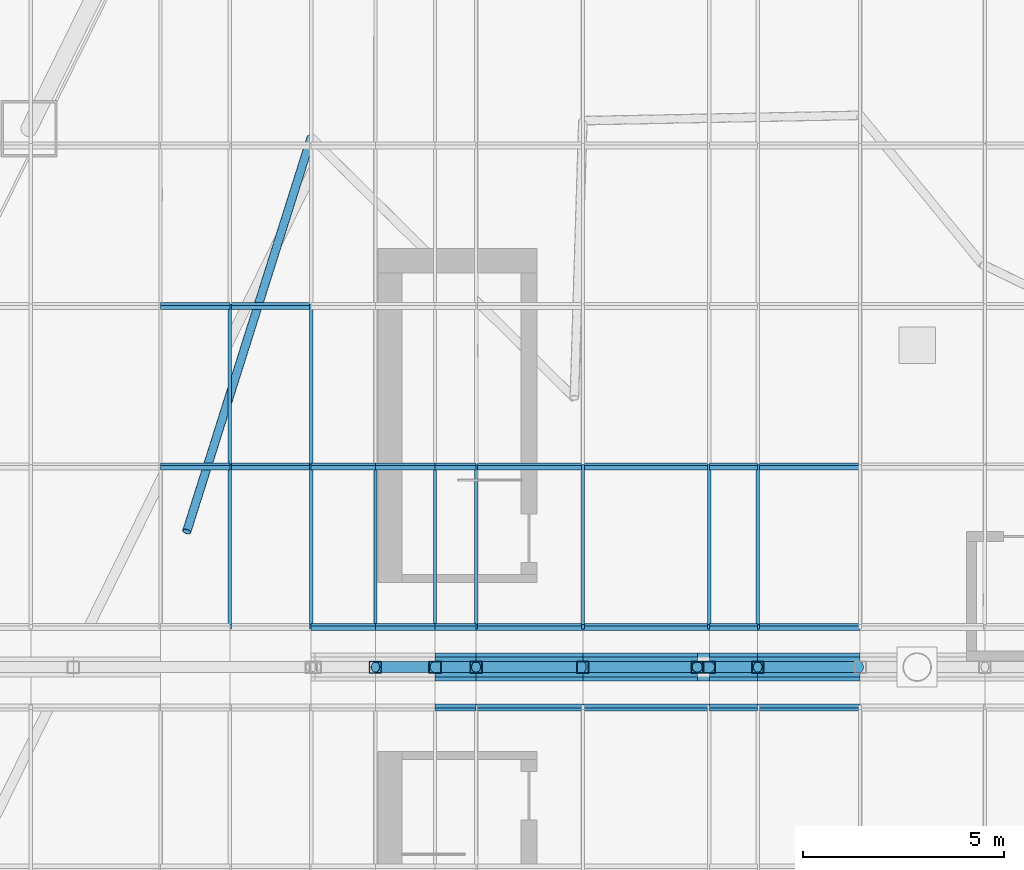
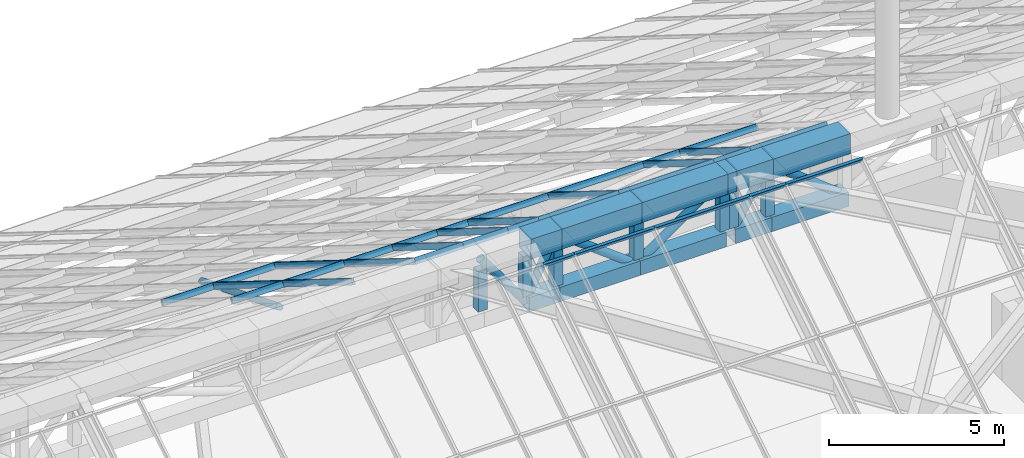
# One storey, part 13 of 38: 59 members, 16 elements without a shape of their own.
"""IFC4 building model written with IfcOpenShell, lengths in metres."""

from ifc_helpers import new_model, si_unit, direction, frame, origin, origin_2d, place, context, subcontext, project, spatial, rectangle, hollow_rectangle, hollow_circle, extrude, material, layer, layer_set, material_profile, profile_set, type_object, element, aggregate, save


model = new_model("IFC4")

# Units and contexts
model_context = context("Model", 3, precision=1e-05, world=origin(), true_north=direction((0.0, 1.0)))
body_context = subcontext(model_context, "Body", "Model", "MODEL_VIEW")
ifc_project = project(units=[si_unit("LENGTHUNIT", "METRE"), si_unit("AREAUNIT", "SQUARE_METRE"), si_unit("VOLUMEUNIT", "CUBIC_METRE"), si_unit("PLANEANGLEUNIT", "RADIAN"), si_unit("MASSUNIT", "GRAM", prefix="KILO")], contexts=[model_context])

# Site, building, storey
site_placement = place(None, origin())
site = spatial("IfcSite", under=ifc_project, at=site_placement, CompositionType="ELEMENT")
building_placement = place(site_placement, origin())
building = spatial("IfcBuilding", under=site, at=building_placement, Name="Dongbaek Canopy Tower", CompositionType="ELEMENT")
storey_placement = place(building_placement, frame((0.0, 0.0, 375.800048828125)))
storey = spatial("IfcBuildingStorey", under=building, at=storey_placement, Name="Roof", CompositionType="ELEMENT", Elevation=375.800048828125)

# Curtain wall, member
ifc_material_1 = material(Name="Aluminium 6063-T6 pale anodised", Category="aluminium")
ifc_layer = layer(ifc_material_1, 0.199951171875)
ifc_layer_set = layer_set([ifc_layer], Name="CW-6 canopy glazing curtain wall")
curtain_wall_type = type_object("IfcCurtainWallType", Name="CW-6 canopy glazing curtain wall", PredefinedType="NOTDEFINED", material=ifc_layer_set)
curtain_wall_1_placement = place(storey_placement, origin())
curtain_wall_1 = element("IfcCurtainWall", 1, at=curtain_wall_1_placement, inside=storey, type_object=curtain_wall_type, Name="CW-6 canopy glazing north 7.1", PredefinedType="NOTDEFINED")
ifc_material_2 = material(Name="Aluminium 6063-T6 pale anodised", Category="aluminium")
ifc_material_profile_1 = material_profile(ifc_material_2, rectangle(XDim=0.080078125, YDim=0.199951171875, at=origin_2d()), Name="CW-6 mullion 80 x 200")
ifc_profile_set_1 = profile_set([ifc_material_profile_1], Name="Aluminium 6063-T6 pale anodised")
member_type_1 = type_object("IfcMemberType", Name="CW-6 mullion 80 x 200", PredefinedType="MULLION", material=ifc_profile_set_1)
member_1_placement = place(storey_placement, frame((-17.083984375, 1.0, 18.0986328125), z_axis=(0.0, 0.848068327403, -0.529886886095), x_axis=(-1.0, 0.0, 0.0)))
member_1 = element("IfcMember", 2, at=member_1_placement, type_object=member_type_1, Name="CW-6 mullion N7.1.-17.1", PredefinedType="MULLION", context=body_context, shape_type="SweptSolid", body=[
    extrude(rectangle(XDim=0.080078125, YDim=0.199951171875, at=origin_2d()), origin(), (0.0, 0.0, 1.0), 4.700439453125),
])

curtain_wall_2_placement = place(storey_placement, origin())
curtain_wall_2 = element("IfcCurtainWall", 3, at=curtain_wall_2_placement, inside=storey, type_object=curtain_wall_type, Name="CW-6 canopy glazing north 7.2", PredefinedType="NOTDEFINED")
member_2_placement = place(storey_placement, frame((-17.083984375, 4.986328125, 15.60791015625), z_axis=(0.0, 0.848030400431, -0.529947582262), x_axis=(-1.0, 0.0, 0.0)))
member_2 = element("IfcMember", 4, at=member_2_placement, type_object=member_type_1, Name="CW-6 mullion N7.2.-17.1", PredefinedType="MULLION", context=body_context, shape_type="SweptSolid", body=[
    extrude(rectangle(XDim=0.080078125, YDim=0.199951171875, at=origin_2d()), origin(), (0.0, 0.0, 1.0), 4.700439453125),
])

curtain_wall_3_placement = place(storey_placement, origin())
curtain_wall_3 = element("IfcCurtainWall", 5, at=curtain_wall_3_placement, inside=storey, type_object=curtain_wall_type, Name="CW-6 canopy glazing north 8.1", PredefinedType="NOTDEFINED")
member_3_placement = place(storey_placement, frame((-15.06201171875, 1.0, 18.0986328125), z_axis=(0.0, 0.848068327403, -0.529886886095), x_axis=(-1.0, 0.0, 0.0)))
member_3 = element("IfcMember", 6, at=member_3_placement, type_object=member_type_1, Name="CW-6 mullion N8.1.-15.1", PredefinedType="MULLION", context=body_context, shape_type="SweptSolid", body=[
    extrude(rectangle(XDim=0.080078125, YDim=0.199951171875, at=origin_2d()), origin(), (0.0, 0.0, 1.0), 4.700439453125),
])

curtain_wall_4_placement = place(storey_placement, origin())
curtain_wall_4 = element("IfcCurtainWall", 7, at=curtain_wall_4_placement, inside=storey, type_object=curtain_wall_type, Name="CW-6 canopy glazing north 8.2", PredefinedType="NOTDEFINED")
member_4_placement = place(storey_placement, frame((-15.06201171875, 4.986328125, 15.60791015625), z_axis=(0.0, 0.848030400431, -0.529947582262), x_axis=(-1.0, 0.0, 0.0)))
member_4 = element("IfcMember", 8, at=member_4_placement, type_object=member_type_1, Name="CW-6 mullion N8.2.-15.1", PredefinedType="MULLION", context=body_context, shape_type="SweptSolid", body=[
    extrude(rectangle(XDim=0.080078125, YDim=0.199951171875, at=origin_2d()), origin(), (0.0, 0.0, 1.0), 4.700439453125),
])

curtain_wall_5_placement = place(storey_placement, origin())
curtain_wall_5 = element("IfcCurtainWall", 9, at=curtain_wall_5_placement, inside=storey, type_object=curtain_wall_type, Name="CW-6 canopy glazing north 9.1", PredefinedType="NOTDEFINED")
member_5_placement = place(storey_placement, frame((-13.464599609375, 1.0, 18.0986328125), z_axis=(0.0, 0.848068327403, -0.529886886095), x_axis=(-1.0, 0.0, 0.0)))
member_5 = element("IfcMember", 10, at=member_5_placement, type_object=member_type_1, Name="CW-6 mullion N9.1.-13.5", PredefinedType="MULLION", context=body_context, shape_type="SweptSolid", body=[
    extrude(rectangle(XDim=0.080078125, YDim=0.199951171875, at=origin_2d()), origin(), (0.0, 0.0, 1.0), 4.700439453125),
])

curtain_wall_6_placement = place(storey_placement, origin())
curtain_wall_6 = element("IfcCurtainWall", 11, at=curtain_wall_6_placement, inside=storey, type_object=curtain_wall_type, Name="CW-6 canopy glazing north 10.1", PredefinedType="NOTDEFINED")
member_6_placement = place(storey_placement, frame((-11.985107421875, 1.0, 18.0986328125), z_axis=(0.0, 0.848068327403, -0.529886886095), x_axis=(-1.0, 0.0, 0.0)))
member_6 = element("IfcMember", 12, at=member_6_placement, type_object=member_type_1, Name="CW-6 mullion N10.1.-12.0", PredefinedType="MULLION", context=body_context, shape_type="SweptSolid", body=[
    extrude(rectangle(XDim=0.080078125, YDim=0.199951171875, at=origin_2d()), origin(), (0.0, 0.0, 1.0), 4.700439453125),
])

curtain_wall_7_placement = place(storey_placement, origin())
curtain_wall_7 = element("IfcCurtainWall", 13, at=curtain_wall_7_placement, inside=storey, type_object=curtain_wall_type, Name="CW-6 canopy glazing north 11.1", PredefinedType="NOTDEFINED")
member_7_placement = place(storey_placement, frame((-10.964599609375, 1.0, 18.0986328125), z_axis=(0.0, 0.848068327403, -0.529886886095), x_axis=(-1.0, 0.0, 0.0)))
member_7 = element("IfcMember", 14, at=member_7_placement, type_object=member_type_1, Name="CW-6 mullion N11.1.-11.0", PredefinedType="MULLION", context=body_context, shape_type="SweptSolid", body=[
    extrude(rectangle(XDim=0.080078125, YDim=0.199951171875, at=origin_2d()), origin(), (0.0, 0.0, 1.0), 4.700439453125),
])

curtain_wall_8_placement = place(storey_placement, origin())
curtain_wall_8 = element("IfcCurtainWall", 15, at=curtain_wall_8_placement, inside=storey, type_object=curtain_wall_type, Name="CW-6 canopy glazing north 12.1", PredefinedType="NOTDEFINED")
member_8_placement = place(storey_placement, frame((-8.30908203125, 1.0, 18.0986328125), z_axis=(0.0, 0.848068327403, -0.529886886095), x_axis=(-1.0, 0.0, 0.0)))
member_8 = element("IfcMember", 16, at=member_8_placement, type_object=member_type_1, Name="CW-6 mullion N12.1.-8.3", PredefinedType="MULLION", context=body_context, shape_type="SweptSolid", body=[
    extrude(rectangle(XDim=0.080078125, YDim=0.199951171875, at=origin_2d()), origin(), (0.0, 0.0, 1.0), 4.700439453125),
])

curtain_wall_9_placement = place(storey_placement, origin())
curtain_wall_9 = element("IfcCurtainWall", 17, at=curtain_wall_9_placement, inside=storey, type_object=curtain_wall_type, Name="CW-6 canopy glazing north 13.1", PredefinedType="NOTDEFINED")
member_9_placement = place(storey_placement, frame((-5.166015625, 1.0, 18.0986328125), z_axis=(0.0, 0.848068327403, -0.529886886095), x_axis=(-1.0, 0.0, 0.0)))
member_9 = element("IfcMember", 18, at=member_9_placement, type_object=member_type_1, Name="CW-6 mullion N13.1.-5.2", PredefinedType="MULLION", context=body_context, shape_type="SweptSolid", body=[
    extrude(rectangle(XDim=0.080078125, YDim=0.199951171875, at=origin_2d()), origin(), (0.0, 0.0, 1.0), 4.700439453125),
])

curtain_wall_10_placement = place(storey_placement, origin())
curtain_wall_10 = element("IfcCurtainWall", 19, at=curtain_wall_10_placement, inside=storey, type_object=curtain_wall_type, Name="CW-6 canopy glazing north 14.1", PredefinedType="NOTDEFINED")
member_10_placement = place(storey_placement, frame((-3.964599609375, 1.0, 18.0986328125), z_axis=(0.0, 0.848068327403, -0.529886886095), x_axis=(-1.0, 0.0, 0.0)))
member_10 = element("IfcMember", 20, at=member_10_placement, type_object=member_type_1, Name="CW-6 mullion N14.1.-4.0", PredefinedType="MULLION", context=body_context, shape_type="SweptSolid", body=[
    extrude(rectangle(XDim=0.080078125, YDim=0.199951171875, at=origin_2d()), origin(), (0.0, 0.0, 1.0), 4.700439453125),
])

# Member
ifc_material_3 = material(Name="Aluminium 6063-T6 pale anodised", Category="aluminium")
ifc_material_profile_2 = material_profile(ifc_material_3, rectangle(XDim=0.080078125, YDim=0.199951171875, at=origin_2d()), Name="CW-6 transom 80 x 200")
ifc_profile_set_2 = profile_set([ifc_material_profile_2], Name="Aluminium 6063-T6 pale anodised")
member_type_2 = type_object("IfcMemberType", Name="CW-6 transom 80 x 200", PredefinedType="USERDEFINED", material=ifc_profile_set_2)
member_11_placement = place(storey_placement, frame((-18.805908203125, 4.986328125, 15.60791015625), z_axis=(1.0, 0.0, 0.0), x_axis=(0.0, 0.848048096156, -0.529919264233)))
member_11 = element("IfcMember", 21, at=member_11_placement, type_object=member_type_2, Name="CW-6 transom N7.1.2", ObjectType="TRANSOM", PredefinedType="USERDEFINED", context=body_context, shape_type="SweptSolid", body=[
    extrude(rectangle(XDim=0.080078125, YDim=0.199951171875, at=origin_2d()), origin(), (0.0, 0.0, 1.0), 1.721923828125),
])

aggregate(curtain_wall_1, [member_1, member_11])

member_12_placement = place(storey_placement, frame((-18.805908203125, 8.972412109375, 13.116943359375), z_axis=(1.0, 0.0, 0.0), x_axis=(0.0, 0.848048096156, -0.529919264233)))
member_12 = element("IfcMember", 22, at=member_12_placement, type_object=member_type_2, Name="CW-6 transom N7.2.3", ObjectType="TRANSOM", PredefinedType="USERDEFINED", context=body_context, shape_type="SweptSolid", body=[
    extrude(rectangle(XDim=0.080078125, YDim=0.199951171875, at=origin_2d()), origin(), (0.0, 0.0, 1.0), 1.721923828125),
])

aggregate(curtain_wall_2, [member_2, member_12])

member_13_placement = place(storey_placement, frame((-17.083984375, 4.986328125, 15.60791015625), z_axis=(1.0, 0.0, 0.0), x_axis=(0.0, 0.848048096156, -0.529919264233)))
member_13 = element("IfcMember", 23, at=member_13_placement, type_object=member_type_2, Name="CW-6 transom N8.1.2", ObjectType="TRANSOM", PredefinedType="USERDEFINED", context=body_context, shape_type="SweptSolid", body=[
    extrude(rectangle(XDim=0.080078125, YDim=0.199951171875, at=origin_2d()), origin(), (0.0, 0.0, 1.0), 2.02197265625),
])

aggregate(curtain_wall_3, [member_3, member_13])

member_14_placement = place(storey_placement, frame((-17.083984375, 8.972412109375, 13.116943359375), z_axis=(1.0, 0.0, 0.0), x_axis=(0.0, 0.848048096156, -0.529919264233)))
member_14 = element("IfcMember", 24, at=member_14_placement, type_object=member_type_2, Name="CW-6 transom N8.2.3", ObjectType="TRANSOM", PredefinedType="USERDEFINED", context=body_context, shape_type="SweptSolid", body=[
    extrude(rectangle(XDim=0.080078125, YDim=0.199951171875, at=origin_2d()), origin(), (0.0, 0.0, 1.0), 2.02197265625),
])

aggregate(curtain_wall_4, [member_4, member_14])

member_15_placement = place(storey_placement, frame((-15.06201171875, 1.0, 18.0986328125), z_axis=(1.0, 0.0, 0.0), x_axis=(0.0, 0.848048096156, -0.529919264233)))
member_15 = element("IfcMember", 25, at=member_15_placement, type_object=member_type_2, Name="CW-6 transom N9.1.1", ObjectType="TRANSOM", PredefinedType="USERDEFINED", context=body_context, shape_type="SweptSolid", body=[
    extrude(rectangle(XDim=0.080078125, YDim=0.199951171875, at=origin_2d()), origin(), (0.0, 0.0, 1.0), 1.597412109375),
])

member_16_placement = place(storey_placement, frame((-15.06201171875, 4.986328125, 15.60791015625), z_axis=(1.0, 0.0, 0.0), x_axis=(0.0, 0.848048096156, -0.529919264233)))
member_16 = element("IfcMember", 26, at=member_16_placement, type_object=member_type_2, Name="CW-6 transom N9.1.2", ObjectType="TRANSOM", PredefinedType="USERDEFINED", context=body_context, shape_type="SweptSolid", body=[
    extrude(rectangle(XDim=0.080078125, YDim=0.199951171875, at=origin_2d()), origin(), (0.0, 0.0, 1.0), 1.597412109375),
])

aggregate(curtain_wall_5, [member_5, member_15, member_16])

member_17_placement = place(storey_placement, frame((-13.464599609375, 1.0, 18.0986328125), z_axis=(1.0, 0.0, 0.0), x_axis=(0.0, 0.848048096156, -0.529919264233)))
member_17 = element("IfcMember", 27, at=member_17_placement, type_object=member_type_2, Name="CW-6 transom N10.1.1", ObjectType="TRANSOM", PredefinedType="USERDEFINED", context=body_context, shape_type="SweptSolid", body=[
    extrude(rectangle(XDim=0.080078125, YDim=0.199951171875, at=origin_2d()), origin(), (0.0, 0.0, 1.0), 1.4794921875),
])

member_18_placement = place(storey_placement, frame((-13.464599609375, 4.986328125, 15.60791015625), z_axis=(1.0, 0.0, 0.0), x_axis=(0.0, 0.848048096156, -0.529919264233)))
member_18 = element("IfcMember", 28, at=member_18_placement, type_object=member_type_2, Name="CW-6 transom N10.1.2", ObjectType="TRANSOM", PredefinedType="USERDEFINED", context=body_context, shape_type="SweptSolid", body=[
    extrude(rectangle(XDim=0.080078125, YDim=0.199951171875, at=origin_2d()), origin(), (0.0, 0.0, 1.0), 1.4794921875),
])

aggregate(curtain_wall_6, [member_6, member_17, member_18])

member_19_placement = place(storey_placement, frame((-11.985107421875, 1.0, 18.0986328125), z_axis=(1.0, 0.0, 0.0), x_axis=(0.0, 0.848048096156, -0.529919264233)))
member_19 = element("IfcMember", 29, at=member_19_placement, type_object=member_type_2, Name="CW-6 transom N11.1.1", ObjectType="TRANSOM", PredefinedType="USERDEFINED", context=body_context, shape_type="SweptSolid", body=[
    extrude(rectangle(XDim=0.080078125, YDim=0.199951171875, at=origin_2d()), origin(), (0.0, 0.0, 1.0), 1.0205078125),
])

member_20_placement = place(storey_placement, frame((-11.985107421875, 4.986328125, 15.60791015625), z_axis=(1.0, 0.0, 0.0), x_axis=(0.0, 0.848048096156, -0.529919264233)))
member_20 = element("IfcMember", 30, at=member_20_placement, type_object=member_type_2, Name="CW-6 transom N11.1.2", ObjectType="TRANSOM", PredefinedType="USERDEFINED", context=body_context, shape_type="SweptSolid", body=[
    extrude(rectangle(XDim=0.080078125, YDim=0.199951171875, at=origin_2d()), origin(), (0.0, 0.0, 1.0), 1.0205078125),
])

aggregate(curtain_wall_7, [member_7, member_19, member_20])

member_21_placement = place(storey_placement, frame((-10.964599609375, 1.0, 18.0986328125), z_axis=(1.0, 0.0, 0.0), x_axis=(0.0, 0.848048096156, -0.529919264233)))
member_21 = element("IfcMember", 31, at=member_21_placement, type_object=member_type_2, Name="CW-6 transom N12.1.1", ObjectType="TRANSOM", PredefinedType="USERDEFINED", context=body_context, shape_type="SweptSolid", body=[
    extrude(rectangle(XDim=0.080078125, YDim=0.199951171875, at=origin_2d()), origin(), (0.0, 0.0, 1.0), 2.655517578125),
])

member_22_placement = place(storey_placement, frame((-10.964599609375, 4.986328125, 15.60791015625), z_axis=(1.0, 0.0, 0.0), x_axis=(0.0, 0.848048096156, -0.529919264233)))
member_22 = element("IfcMember", 32, at=member_22_placement, type_object=member_type_2, Name="CW-6 transom N12.1.2", ObjectType="TRANSOM", PredefinedType="USERDEFINED", context=body_context, shape_type="SweptSolid", body=[
    extrude(rectangle(XDim=0.080078125, YDim=0.199951171875, at=origin_2d()), origin(), (0.0, 0.0, 1.0), 2.655517578125),
])

aggregate(curtain_wall_8, [member_8, member_21, member_22])

member_23_placement = place(storey_placement, frame((-8.30908203125, 1.0, 18.0986328125), z_axis=(1.0, 0.0, 0.0), x_axis=(0.0, 0.848048096156, -0.529919264233)))
member_23 = element("IfcMember", 33, at=member_23_placement, type_object=member_type_2, Name="CW-6 transom N13.1.1", ObjectType="TRANSOM", PredefinedType="USERDEFINED", context=body_context, shape_type="SweptSolid", body=[
    extrude(rectangle(XDim=0.080078125, YDim=0.199951171875, at=origin_2d()), origin(), (0.0, 0.0, 1.0), 3.14306640625),
])

member_24_placement = place(storey_placement, frame((-8.30908203125, 4.986328125, 15.60791015625), z_axis=(1.0, 0.0, 0.0), x_axis=(0.0, 0.848048096156, -0.529919264233)))
member_24 = element("IfcMember", 34, at=member_24_placement, type_object=member_type_2, Name="CW-6 transom N13.1.2", ObjectType="TRANSOM", PredefinedType="USERDEFINED", context=body_context, shape_type="SweptSolid", body=[
    extrude(rectangle(XDim=0.080078125, YDim=0.199951171875, at=origin_2d()), origin(), (0.0, 0.0, 1.0), 3.14306640625),
])

aggregate(curtain_wall_9, [member_9, member_23, member_24])

member_25_placement = place(storey_placement, frame((-5.166015625, 1.0, 18.0986328125), z_axis=(1.0, 0.0, 0.0), x_axis=(0.0, 0.848048096156, -0.529919264233)))
member_25 = element("IfcMember", 35, at=member_25_placement, type_object=member_type_2, Name="CW-6 transom N14.1.1", ObjectType="TRANSOM", PredefinedType="USERDEFINED", context=body_context, shape_type="SweptSolid", body=[
    extrude(rectangle(XDim=0.080078125, YDim=0.199951171875, at=origin_2d()), origin(), (0.0, 0.0, 1.0), 1.201416015625),
])

member_26_placement = place(storey_placement, frame((-5.166015625, 4.986328125, 15.60791015625), z_axis=(1.0, 0.0, 0.0), x_axis=(0.0, 0.848048096156, -0.529919264233)))
member_26 = element("IfcMember", 36, at=member_26_placement, type_object=member_type_2, Name="CW-6 transom N14.1.2", ObjectType="TRANSOM", PredefinedType="USERDEFINED", context=body_context, shape_type="SweptSolid", body=[
    extrude(rectangle(XDim=0.080078125, YDim=0.199951171875, at=origin_2d()), origin(), (0.0, 0.0, 1.0), 1.201416015625),
])

aggregate(curtain_wall_10, [member_10, member_25, member_26])

# Curtain wall, members
curtain_wall_11_placement = place(storey_placement, origin())
curtain_wall_11 = element("IfcCurtainWall", 37, at=curtain_wall_11_placement, inside=storey, type_object=curtain_wall_type, Name="CW-6 canopy glazing north 15.1", PredefinedType="NOTDEFINED")
member_27_placement = place(storey_placement, frame((-3.964599609375, 1.0, 18.0986328125), z_axis=(1.0, 0.0, 0.0), x_axis=(0.0, 0.848048096156, -0.529919264233)))
member_27 = element("IfcMember", 38, at=member_27_placement, type_object=member_type_2, Name="CW-6 transom N15.1.1", ObjectType="TRANSOM", PredefinedType="USERDEFINED", context=body_context, shape_type="SweptSolid", body=[
    extrude(rectangle(XDim=0.080078125, YDim=0.199951171875, at=origin_2d()), origin(), (0.0, 0.0, 1.0), 2.546630859375),
])
member_28_placement = place(storey_placement, frame((-3.964599609375, 4.986328125, 15.60791015625), z_axis=(1.0, 0.0, 0.0), x_axis=(0.0, 0.848048096156, -0.529919264233)))
member_28 = element("IfcMember", 39, at=member_28_placement, type_object=member_type_2, Name="CW-6 transom N15.1.2", ObjectType="TRANSOM", PredefinedType="USERDEFINED", context=body_context, shape_type="SweptSolid", body=[
    extrude(rectangle(XDim=0.080078125, YDim=0.199951171875, at=origin_2d()), origin(), (0.0, 0.0, 1.0), 2.546630859375),
])
aggregate(curtain_wall_11, [member_27, member_28])

# Curtain wall, member
curtain_wall_12_placement = place(storey_placement, origin())
curtain_wall_12 = element("IfcCurtainWall", 40, at=curtain_wall_12_placement, inside=storey, type_object=curtain_wall_type, Name="CW-6 canopy glazing south 11.1", PredefinedType="NOTDEFINED")
member_29_placement = place(storey_placement, frame((-11.985107421875, -1.0, 18.0986328125), z_axis=(1.0, 0.0, 0.0), x_axis=(0.0, 0.848048096156, 0.529919264233)))
member_29 = element("IfcMember", 41, at=member_29_placement, type_object=member_type_2, Name="CW-6 transom S11.1.1", ObjectType="TRANSOM", PredefinedType="USERDEFINED", context=body_context, shape_type="SweptSolid", body=[
    extrude(rectangle(XDim=0.080078125, YDim=0.199951171875, at=origin_2d()), origin(), (0.0, 0.0, 1.0), 1.0205078125),
])
aggregate(curtain_wall_12, [member_29])

curtain_wall_13_placement = place(storey_placement, origin())
curtain_wall_13 = element("IfcCurtainWall", 42, at=curtain_wall_13_placement, inside=storey, type_object=curtain_wall_type, Name="CW-6 canopy glazing south 12.1", PredefinedType="NOTDEFINED")
member_30_placement = place(storey_placement, frame((-10.964599609375, -1.0, 18.0986328125), z_axis=(1.0, 0.0, 0.0), x_axis=(0.0, 0.848048096156, 0.529919264233)))
member_30 = element("IfcMember", 43, at=member_30_placement, type_object=member_type_2, Name="CW-6 transom S12.1.1", ObjectType="TRANSOM", PredefinedType="USERDEFINED", context=body_context, shape_type="SweptSolid", body=[
    extrude(rectangle(XDim=0.080078125, YDim=0.199951171875, at=origin_2d()), origin(), (0.0, 0.0, 1.0), 2.655517578125),
])
aggregate(curtain_wall_13, [member_30])

curtain_wall_14_placement = place(storey_placement, origin())
curtain_wall_14 = element("IfcCurtainWall", 44, at=curtain_wall_14_placement, inside=storey, type_object=curtain_wall_type, Name="CW-6 canopy glazing south 13.1", PredefinedType="NOTDEFINED")
member_31_placement = place(storey_placement, frame((-8.30908203125, -1.0, 18.0986328125), z_axis=(1.0, 0.0, 0.0), x_axis=(0.0, 0.848048096156, 0.529919264233)))
member_31 = element("IfcMember", 45, at=member_31_placement, type_object=member_type_2, Name="CW-6 transom S13.1.1", ObjectType="TRANSOM", PredefinedType="USERDEFINED", context=body_context, shape_type="SweptSolid", body=[
    extrude(rectangle(XDim=0.080078125, YDim=0.199951171875, at=origin_2d()), origin(), (0.0, 0.0, 1.0), 3.14306640625),
])
aggregate(curtain_wall_14, [member_31])

curtain_wall_15_placement = place(storey_placement, origin())
curtain_wall_15 = element("IfcCurtainWall", 46, at=curtain_wall_15_placement, inside=storey, type_object=curtain_wall_type, Name="CW-6 canopy glazing south 14.1", PredefinedType="NOTDEFINED")
member_32_placement = place(storey_placement, frame((-5.166015625, -1.0, 18.0986328125), z_axis=(1.0, 0.0, 0.0), x_axis=(0.0, 0.848048096156, 0.529919264233)))
member_32 = element("IfcMember", 47, at=member_32_placement, type_object=member_type_2, Name="CW-6 transom S14.1.1", ObjectType="TRANSOM", PredefinedType="USERDEFINED", context=body_context, shape_type="SweptSolid", body=[
    extrude(rectangle(XDim=0.080078125, YDim=0.199951171875, at=origin_2d()), origin(), (0.0, 0.0, 1.0), 1.201416015625),
])
aggregate(curtain_wall_15, [member_32])

curtain_wall_16_placement = place(storey_placement, origin())
curtain_wall_16 = element("IfcCurtainWall", 48, at=curtain_wall_16_placement, inside=storey, type_object=curtain_wall_type, Name="CW-6 canopy glazing south 15.1", PredefinedType="NOTDEFINED")
member_33_placement = place(storey_placement, frame((-3.964599609375, -1.0, 18.0986328125), z_axis=(1.0, 0.0, 0.0), x_axis=(0.0, 0.848048096156, 0.529919264233)))
member_33 = element("IfcMember", 49, at=member_33_placement, type_object=member_type_2, Name="CW-6 transom S15.1.1", ObjectType="TRANSOM", PredefinedType="USERDEFINED", context=body_context, shape_type="SweptSolid", body=[
    extrude(rectangle(XDim=0.080078125, YDim=0.199951171875, at=origin_2d()), origin(), (0.0, 0.0, 1.0), 2.546630859375),
])
aggregate(curtain_wall_16, [member_33])

# Members
ifc_material_4 = material(Name="Steel S355", Category="steel")
ifc_material_profile_3 = material_profile(ifc_material_4, hollow_circle(Radius=0.108154296875, WallThickness=0.00830078125, at=origin_2d()), Name="PURLIN CHS 216.3x8.2 Steel S355")
ifc_profile_set_3 = profile_set([ifc_material_profile_3], Name="Steel S355")
member_type_3 = type_object("IfcMemberType", Name="PURLIN CHS 216.3x8.2 Steel S355", PredefinedType="PURLIN", material=ifc_profile_set_3)
member_34_placement = place(storey_placement, frame((-18.156005859375, 3.367431640625, 16.1474609375), z_axis=(0.258803464851, 0.819152890564, -0.511868448394), x_axis=(-0.953541339633, 0.301262200767, 0.0)))
element("IfcMember", 50, at=member_34_placement, inside=storey, type_object=member_type_3, Name="PURLIN:1:00", PredefinedType="PURLIN", context=body_context, shape_type="SweptSolid", body=[
    extrude(hollow_circle(Radius=0.108154296875, WallThickness=0.00830078125, at=origin_2d()), origin(), (0.0, 0.0, 1.0), 11.955078125),
])
ifc_material_5 = material(Name="Steel S355", Category="steel")
ifc_material_profile_4 = material_profile(ifc_material_5, hollow_rectangle(XDim=0.699951171875, YDim=0.699951171875, WallThickness=0.035888671875, at=origin_2d()), Name="RIDGE BEAM BOX 700x700x36 Steel S355")
ifc_profile_set_4 = profile_set([ifc_material_profile_4], Name="Steel S355")
member_type_4 = type_object("IfcMemberType", Name="RIDGE BEAM BOX 700x700x36 Steel S355", PredefinedType="MEMBER", material=ifc_profile_set_4)
member_35_placement = place(storey_placement, frame((-11.985107421875, 0.0, 18.251708984375), z_axis=(1.0, 0.0, 0.0), x_axis=(0.0, 1.0, 0.0)))
element("IfcMember", 51, at=member_35_placement, inside=storey, type_object=member_type_4, Name="RIDGE:08", PredefinedType="MEMBER", context=body_context, shape_type="SweptSolid", body=[
    extrude(hollow_rectangle(XDim=0.699951171875, YDim=0.699951171875, WallThickness=0.035888671875, at=origin_2d()), origin(), (0.0, 0.0, 1.0), 1.0205078125),
])
member_36_placement = place(storey_placement, frame((-10.964599609375, 0.0, 18.251708984375), z_axis=(1.0, 0.0, 0.0), x_axis=(0.0, 1.0, 0.0)))
element("IfcMember", 52, at=member_36_placement, inside=storey, type_object=member_type_4, Name="RIDGE:09", PredefinedType="MEMBER", context=body_context, shape_type="SweptSolid", body=[
    extrude(hollow_rectangle(XDim=0.699951171875, YDim=0.699951171875, WallThickness=0.035888671875, at=origin_2d()), origin(), (0.0, 0.0, 1.0), 2.655517578125),
])
member_37_placement = place(storey_placement, frame((-8.30908203125, 0.0, 18.251708984375), z_axis=(1.0, 0.0, 0.0), x_axis=(0.0, 1.0, 0.0)))
element("IfcMember", 53, at=member_37_placement, inside=storey, type_object=member_type_4, Name="RIDGE:10", PredefinedType="MEMBER", context=body_context, shape_type="SweptSolid", body=[
    extrude(hollow_rectangle(XDim=0.699951171875, YDim=0.699951171875, WallThickness=0.035888671875, at=origin_2d()), origin(), (0.0, 0.0, 1.0), 2.844482421875),
])
member_38_placement = place(storey_placement, frame((-5.464599609375, 0.0, 18.251708984375), z_axis=(1.0, 0.0, 0.0), x_axis=(0.0, 1.0, 0.0)))
element("IfcMember", 54, at=member_38_placement, inside=storey, type_object=member_type_4, Name="RIDGE:11", PredefinedType="MEMBER", context=body_context, shape_type="SweptSolid", body=[
    extrude(hollow_rectangle(XDim=0.699951171875, YDim=0.699951171875, WallThickness=0.035888671875, at=origin_2d()), origin(), (0.0, 0.0, 1.0), 0.298583984375),
])
member_39_placement = place(storey_placement, frame((-5.166015625, 0.0, 18.251708984375), z_axis=(1.0, 0.0, 0.0), x_axis=(0.0, 1.0, 0.0)))
element("IfcMember", 55, at=member_39_placement, inside=storey, type_object=member_type_4, Name="RIDGE:12", PredefinedType="MEMBER", context=body_context, shape_type="SweptSolid", body=[
    extrude(hollow_rectangle(XDim=0.699951171875, YDim=0.699951171875, WallThickness=0.035888671875, at=origin_2d()), origin(), (0.0, 0.0, 1.0), 1.201416015625),
])
member_40_placement = place(storey_placement, frame((-3.964599609375, 0.0, 18.251708984375), z_axis=(1.0, 0.0, 0.0), x_axis=(0.0, 1.0, 0.0)))
element("IfcMember", 56, at=member_40_placement, inside=storey, type_object=member_type_4, Name="RIDGE:13", PredefinedType="MEMBER", context=body_context, shape_type="SweptSolid", body=[
    extrude(hollow_rectangle(XDim=0.699951171875, YDim=0.699951171875, WallThickness=0.035888671875, at=origin_2d()), origin(), (0.0, 0.0, 1.0), 2.546630859375),
])
ifc_material_6 = material(Name="Steel S355", Category="steel")
ifc_material_profile_5 = material_profile(ifc_material_6, hollow_circle(Radius=0.1337890625, WallThickness=0.00927734375, at=origin_2d()), Name="RIDGE BRACE CHS 267.4x9.3 Steel S355")
ifc_profile_set_5 = profile_set([ifc_material_profile_5], Name="Steel S355")
member_type_5 = type_object("IfcMemberType", Name="RIDGE BRACE CHS 267.4x9.3 Steel S355", PredefinedType="BRACE", material=ifc_profile_set_5)
member_41_placement = place(storey_placement, frame((-13.464599609375, 0.0, 18.251708984375), z_axis=(0.594711099456, 0.0, -0.803939492862), x_axis=(0.0, 1.0, 0.0)))
element("IfcMember", 57, at=member_41_placement, inside=storey, type_object=member_type_5, Name="RIDGEBRACE:07", PredefinedType="BRACE", context=body_context, shape_type="SweptSolid", body=[
    extrude(hollow_circle(Radius=0.1337890625, WallThickness=0.00927734375, at=origin_2d()), origin(), (0.0, 0.0, 1.0), 2.48779296875),
])
member_42_placement = place(storey_placement, frame((-11.985107421875, 0.0, 16.251708984375), z_axis=(0.454505555714, 0.0, 0.890743902491), x_axis=(0.0, 1.0, 0.0)))
element("IfcMember", 58, at=member_42_placement, inside=storey, type_object=member_type_5, Name="RIDGEBRACE:08", PredefinedType="BRACE", context=body_context, shape_type="SweptSolid", body=[
    extrude(hollow_circle(Radius=0.1337890625, WallThickness=0.00927734375, at=origin_2d()), origin(), (0.0, 0.0, 1.0), 2.245361328125),
])
member_43_placement = place(storey_placement, frame((-10.964599609375, 0.0, 18.251708984375), z_axis=(0.798791050718, 0.0, -0.601608558195), x_axis=(0.0, 1.0, 0.0)))
element("IfcMember", 59, at=member_43_placement, inside=storey, type_object=member_type_5, Name="RIDGEBRACE:09", PredefinedType="BRACE", context=body_context, shape_type="SweptSolid", body=[
    extrude(hollow_circle(Radius=0.1337890625, WallThickness=0.00927734375, at=origin_2d()), origin(), (0.0, 0.0, 1.0), 3.324462890625),
])
member_44_placement = place(storey_placement, frame((-8.30908203125, 0.0, 16.251708984375), z_axis=(0.818032771601, 0.0, 0.575171613162), x_axis=(0.0, 1.0, 0.0)))
element("IfcMember", 60, at=member_44_placement, inside=storey, type_object=member_type_5, Name="RIDGEBRACE:10", PredefinedType="BRACE", context=body_context, shape_type="SweptSolid", body=[
    extrude(hollow_circle(Radius=0.1337890625, WallThickness=0.00927734375, at=origin_2d()), origin(), (0.0, 0.0, 1.0), 3.477294921875),
])
member_45_placement = place(storey_placement, frame((-5.464599609375, 0.0, 18.251708984375), z_axis=(0.147655578998, 0.0, -0.989038841498), x_axis=(0.0, 1.0, 0.0)))
element("IfcMember", 61, at=member_45_placement, inside=storey, type_object=member_type_5, Name="RIDGEBRACE:11", PredefinedType="BRACE", context=body_context, shape_type="SweptSolid", body=[
    extrude(hollow_circle(Radius=0.1337890625, WallThickness=0.00927734375, at=origin_2d()), origin(), (0.0, 0.0, 1.0), 2.022216796875),
])
member_46_placement = place(storey_placement, frame((-5.166015625, 0.0, 16.251708984375), z_axis=(0.514941951953, 0.0, 0.857225049867), x_axis=(0.0, 1.0, 0.0)))
element("IfcMember", 62, at=member_46_placement, inside=storey, type_object=member_type_5, Name="RIDGEBRACE:12", PredefinedType="BRACE", context=body_context, shape_type="SweptSolid", body=[
    extrude(hollow_circle(Radius=0.1337890625, WallThickness=0.00927734375, at=origin_2d()), origin(), (0.0, 0.0, 1.0), 2.3330078125),
])
member_47_placement = place(storey_placement, frame((-3.964599609375, 0.0, 18.251708984375), z_axis=(0.786456981292, 0.0, -0.617645057113), x_axis=(0.0, 1.0, 0.0)))
element("IfcMember", 63, at=member_47_placement, inside=storey, type_object=member_type_5, Name="RIDGEBRACE:13", PredefinedType="BRACE", context=body_context, shape_type="SweptSolid", body=[
    extrude(hollow_circle(Radius=0.1337890625, WallThickness=0.00927734375, at=origin_2d()), origin(), (0.0, 0.0, 1.0), 3.238037109375),
])
ifc_material_7 = material(Name="Steel S355", Category="steel")
ifc_material_profile_6 = material_profile(ifc_material_7, hollow_rectangle(XDim=0.5, YDim=0.5, WallThickness=0.030029296875, at=origin_2d()), Name="RIDGE LOWER CHORD BOX 500x500x30 Steel S355")
ifc_profile_set_6 = profile_set([ifc_material_profile_6], Name="Steel S355")
member_type_6 = type_object("IfcMemberType", Name="RIDGE LOWER CHORD BOX 500x500x30 Steel S355", PredefinedType="CHORD", material=ifc_profile_set_6)
member_48_placement = place(storey_placement, frame((-11.985107421875, 0.0, 16.251708984375), z_axis=(1.0, 0.0, 0.0), x_axis=(0.0, 1.0, 0.0)))
element("IfcMember", 64, at=member_48_placement, inside=storey, type_object=member_type_6, Name="RIDGELOW:08", PredefinedType="CHORD", context=body_context, shape_type="SweptSolid", body=[
    extrude(hollow_rectangle(XDim=0.5, YDim=0.5, WallThickness=0.030029296875, at=origin_2d()), origin(), (0.0, 0.0, 1.0), 1.0205078125),
])
member_49_placement = place(storey_placement, frame((-10.964599609375, 0.0, 16.251708984375), z_axis=(1.0, 0.0, 0.0), x_axis=(0.0, 1.0, 0.0)))
element("IfcMember", 65, at=member_49_placement, inside=storey, type_object=member_type_6, Name="RIDGELOW:09", PredefinedType="CHORD", context=body_context, shape_type="SweptSolid", body=[
    extrude(hollow_rectangle(XDim=0.5, YDim=0.5, WallThickness=0.030029296875, at=origin_2d()), origin(), (0.0, 0.0, 1.0), 2.655517578125),
])
member_50_placement = place(storey_placement, frame((-8.30908203125, 0.0, 16.251708984375), z_axis=(1.0, 0.0, 0.0), x_axis=(0.0, 1.0, 0.0)))
element("IfcMember", 66, at=member_50_placement, inside=storey, type_object=member_type_6, Name="RIDGELOW:10", PredefinedType="CHORD", context=body_context, shape_type="SweptSolid", body=[
    extrude(hollow_rectangle(XDim=0.5, YDim=0.5, WallThickness=0.030029296875, at=origin_2d()), origin(), (0.0, 0.0, 1.0), 2.844482421875),
])
member_51_placement = place(storey_placement, frame((-5.166015625, 0.0, 16.251708984375), z_axis=(1.0, 0.0, 0.0), x_axis=(0.0, 1.0, 0.0)))
element("IfcMember", 67, at=member_51_placement, inside=storey, type_object=member_type_6, Name="RIDGELOW:12", PredefinedType="CHORD", context=body_context, shape_type="SweptSolid", body=[
    extrude(hollow_rectangle(XDim=0.5, YDim=0.5, WallThickness=0.030029296875, at=origin_2d()), origin(), (0.0, 0.0, 1.0), 1.201416015625),
])
member_52_placement = place(storey_placement, frame((-3.964599609375, 0.0, 16.251708984375), z_axis=(1.0, 0.0, 0.0), x_axis=(0.0, 1.0, 0.0)))
element("IfcMember", 68, at=member_52_placement, inside=storey, type_object=member_type_6, Name="RIDGELOW:13", PredefinedType="CHORD", context=body_context, shape_type="SweptSolid", body=[
    extrude(hollow_rectangle(XDim=0.5, YDim=0.5, WallThickness=0.030029296875, at=origin_2d()), origin(), (0.0, 0.0, 1.0), 2.546630859375),
])
ifc_material_8 = material(Name="Steel S355", Category="steel")
ifc_material_profile_7 = material_profile(ifc_material_8, hollow_rectangle(XDim=0.300048828125, YDim=0.300048828125, WallThickness=0.011962890625, at=origin_2d()), Name="RIDGE POST SHS 300x300x12 Steel S355")
ifc_profile_set_7 = profile_set([ifc_material_profile_7], Name="Steel S355")
member_type_7 = type_object("IfcMemberType", Name="RIDGE POST SHS 300x300x12 Steel S355", PredefinedType="POST", material=ifc_profile_set_7)
for number, where, z_axis, x_axis, name in (
    (69, (-13.464599609375, 0.0, 16.501708984375), (0.0, 0.0, 1.0), (1.0, 0.0, 0.0), "RIDGEPOST:07"),
    (70, (-11.985107421875, 0.0, 16.501708984375), (0.0, 0.0, 1.0), (1.0, 0.0, 0.0), "RIDGEPOST:08"),
    (71, (-10.964599609375, 0.0, 16.501708984375), (0.0, 0.0, 1.0), (1.0, 0.0, 0.0), "RIDGEPOST:09"),
    (72, (-8.30908203125, 0.0, 16.501708984375), (0.0, 0.0, 1.0), (1.0, 0.0, 0.0), "RIDGEPOST:10"),
    (73, (-5.464599609375, 0.0, 16.501708984375), (0.0, 0.0, 1.0), (1.0, 0.0, 0.0), "RIDGEPOST:11"),
    (74, (-5.166015625, 0.0, 16.501708984375), (0.0, 0.0, 1.0), (1.0, 0.0, 0.0), "RIDGEPOST:12"),
    (75, (-3.964599609375, 0.0, 16.501708984375), (0.0, 0.0, 1.0), (1.0, 0.0, 0.0), "RIDGEPOST:13"),
):
    element("IfcMember", number, at=place(storey_placement, frame(where, z_axis=z_axis, x_axis=x_axis)), inside=storey, type_object=member_type_7, Name=name, PredefinedType="POST", context=body_context, shape_type="SweptSolid", body=[
        extrude(hollow_rectangle(XDim=0.300048828125, YDim=0.300048828125, WallThickness=0.011962890625, at=origin_2d()), origin(), (0.0, 0.0, 1.0), 1.400146484375),
    ])

save(model, "model.ifc")
